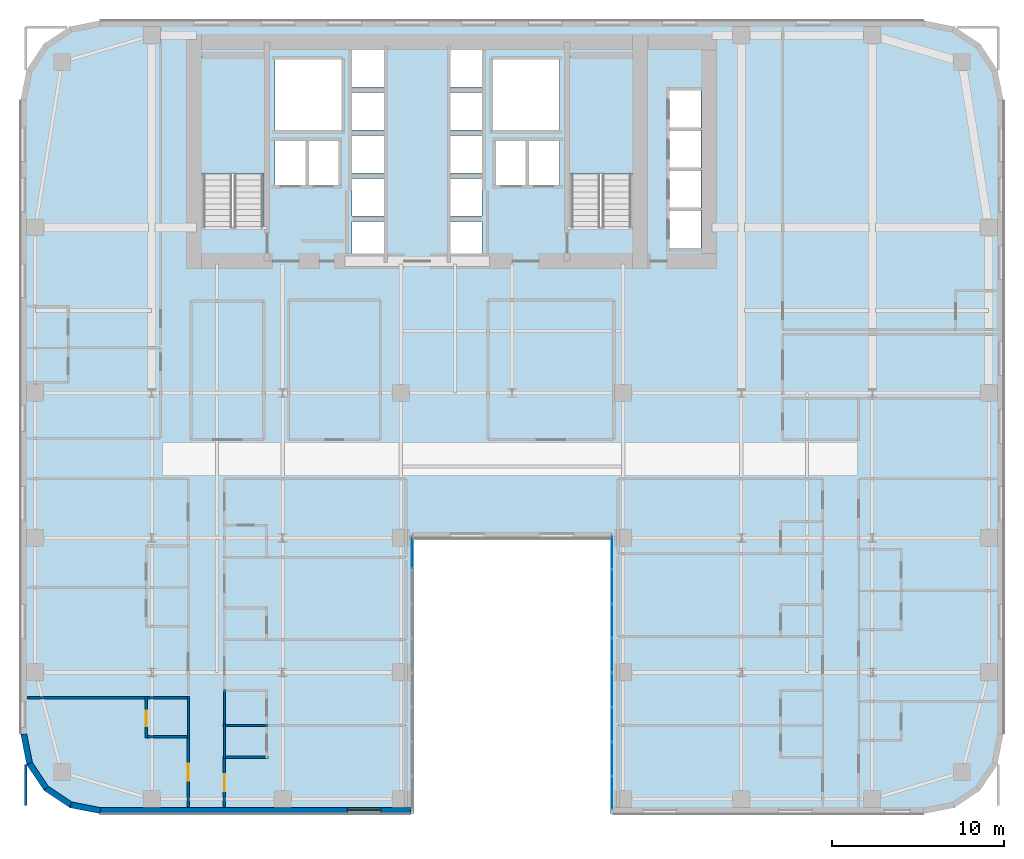
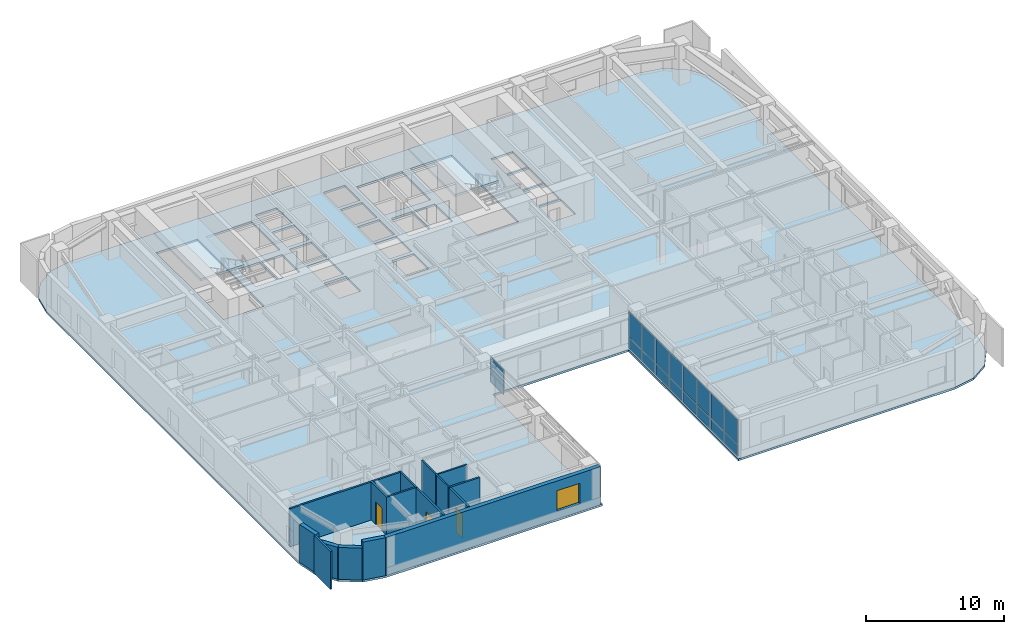
# One storey, part 13 of 25: 17 plates, 17 walls, 3 doors, 3 slabs, 1 window, 4 openings, 4 elements without a shape of their own.
"""IFC4 building model written with IfcOpenShell, lengths in metres."""

import ifcopenshell
import ifcopenshell.guid

model = None  # the IFC model being written
_history = None  # IfcOwnerHistory: only IFC2X3 demands one
_inside = {}  # id of a spatial element -> (the spatial element, [elements in it])
_under = {}  # id of a project, library or spatial element -> (it, [spatial elements below it])
_declared = {}  # id of a project -> (the project, [libraries it declares])
_typed = {}  # id of a type object -> (the type object, [elements of that type])
_made_of = {}  # id of a material, layer set ... -> (it, [elements and type objects made of it])


def new_model(schema):
    """Start an empty IFC model of exactly this schema.

    Asked for "IFC4X3", IfcOpenShell would pick the latest addendum, in which some entities
    have other attributes; the version numbers below select the first issue.
    IFC2X3 requires an IfcOwnerHistory on every rooted entity: one is made here for all.
    """
    global model, _history
    if schema == "IFC4X3":
        model = ifcopenshell.file(schema_version=(4, 3, 0, 0))
    else:
        model = ifcopenshell.file(schema=schema)
    _inside.clear()
    _under.clear()
    _declared.clear()
    _typed.clear()
    _made_of.clear()
    _history = None
    if model.schema == "IFC2X3":
        org = make("IfcOrganization", Name="unknown")
        user = make(
            "IfcPersonAndOrganization",
            ThePerson=make("IfcPerson", FamilyName="unknown"),
            TheOrganization=org,
        )
        app = make(
            "IfcApplication",
            ApplicationDeveloper=org,
            Version="unknown",
            ApplicationFullName="unknown",
            ApplicationIdentifier="unknown",
        )
        _history = make(
            "IfcOwnerHistory",
            OwningUser=user,
            OwningApplication=app,
            ChangeAction="ADDED",
            CreationDate=0,
        )
    return model


def make(cls, **values):
    """One entity of the class cls with the attributes given. An attribute that is None is left unset."""
    return model.create_entity(
        cls, **{name: value for name, value in values.items() if value is not None}
    )


def rooted(cls, **values):
    """An entity with a GlobalId (a new one), such as an element, a storey or a relation."""
    return make(cls, GlobalId=ifcopenshell.guid.new(), OwnerHistory=_history, **values)


def si_unit(unit_type, name, prefix=None):
    """IfcSIUnit, for example si_unit("LENGTHUNIT", "METRE", prefix="MILLI")."""
    return make("IfcSIUnit", UnitType=unit_type, Prefix=prefix, Name=name)


def assignment(units):
    """IfcUnitAssignment: the units of a project."""
    return None if units is None else make("IfcUnitAssignment", Units=units)


def point(xyz):
    """IfcCartesianPoint."""
    return None if xyz is None else make("IfcCartesianPoint", Coordinates=xyz)


def direction(xyz):
    """IfcDirection."""
    return None if xyz is None else make("IfcDirection", DirectionRatios=xyz)


def frame(location, z_axis=None, x_axis=None):
    """IfcAxis2Placement3D, a coordinate frame: its origin and axes. An axis left out is left unset."""
    return make(
        "IfcAxis2Placement3D",
        Location=point(location),
        Axis=direction(z_axis),
        RefDirection=direction(x_axis),
    )


def frame_2d(location, x_axis=None):
    """IfcAxis2Placement2D, a coordinate frame in the plane: its origin and x axis."""
    return make(
        "IfcAxis2Placement2D", Location=point(location), RefDirection=direction(x_axis)
    )


def origin():
    """The frame at (0, 0, 0) with its axes left unset."""
    return frame((0.0, 0.0, 0.0))


def origin_2d():
    """The frame at (0, 0) in the plane with its x axis left unset."""
    return frame_2d((0.0, 0.0))


def place(relative_to, where):
    """IfcLocalPlacement: puts the frame where relative to a parent placement (None: the world)."""
    return make(
        "IfcLocalPlacement", PlacementRelTo=relative_to, RelativePlacement=where
    )


def context(
    kind, dimensions, precision=None, world=None, true_north=None, identifier=None
):
    """IfcGeometricRepresentationContext, for example the 3D "Model" context."""
    return make(
        "IfcGeometricRepresentationContext",
        ContextIdentifier=identifier,
        ContextType=kind,
        CoordinateSpaceDimension=dimensions,
        Precision=precision,
        WorldCoordinateSystem=world,
        TrueNorth=true_north,
    )


def subcontext(parent, identifier, kind, view, scale=None):
    """IfcGeometricRepresentationSubContext, for example "Body" below "Model"."""
    return make(
        "IfcGeometricRepresentationSubContext",
        ContextIdentifier=identifier,
        ContextType=kind,
        ParentContext=parent,
        TargetScale=scale,
        TargetView=view,
    )


def project(units=None, contexts=None):
    """IfcProject with its units and contexts."""
    return rooted(
        "IfcProject",
        Name="project",
        RepresentationContexts=contexts,
        UnitsInContext=assignment(units),
    )


def spatial(cls, under=None, at=None, **own):
    """A site, building, storey or space (cls), placed at a placement, below another one or the project."""
    s = rooted(cls, ObjectPlacement=at, **own)
    if under is not None:
        _under.setdefault(under.id(), (under, []))[1].append(s)
    return s


def polyline(points):
    """IfcPolyline through the points."""
    return make("IfcPolyline", Points=[point(p) for p in points])


def profile(cls, at=None, kind="AREA", **sizes):
    """A parametric profile (cls). Its sizes go by their IFC names, for example OverallWidth=200.0."""
    return make(cls, ProfileType=kind, Position=at, **sizes)


def rectangle(**sizes):
    """IfcRectangleProfileDef."""
    return profile("IfcRectangleProfileDef", **sizes)


def outline(outer, holes=None, kind="AREA"):
    """IfcArbitraryClosedProfileDef: a profile drawn as a closed curve; with holes, ...WithVoids."""
    if holes is None:
        return make("IfcArbitraryClosedProfileDef", ProfileType=kind, OuterCurve=outer)
    return make(
        "IfcArbitraryProfileDefWithVoids",
        ProfileType=kind,
        OuterCurve=outer,
        InnerCurves=holes,
    )


def extrude(swept, where, along, depth):
    """IfcExtrudedAreaSolid: the profile swept, set in the frame where, extruded along a direction by depth."""
    return make(
        "IfcExtrudedAreaSolid",
        SweptArea=swept,
        Position=where,
        ExtrudedDirection=direction(along),
        Depth=depth,
    )


def shape(context_of_items, identifier, shape_type, items):
    """IfcShapeRepresentation: the items that make up one representation, for example the "Body"."""
    return make(
        "IfcShapeRepresentation",
        ContextOfItems=context_of_items,
        RepresentationIdentifier=identifier,
        RepresentationType=shape_type,
        Items=items,
    )


def source(mapping_origin, context_of_items, identifier, shape_type, items):
    """IfcRepresentationMap: a shape defined once, which mapped items show again and again."""
    return make(
        "IfcRepresentationMap",
        MappingOrigin=mapping_origin,
        MappedRepresentation=shape(context_of_items, identifier, shape_type, items),
    )


def transform(
    local_origin,
    x_axis=None,
    y_axis=None,
    z_axis=None,
    scale=None,
    scale2=None,
    scale3=None,
    uniform=True,
):
    """IfcCartesianTransformationOperator3D, or its non-uniform kind. x_axis, y_axis, z_axis: its Axis1, 2, 3."""
    if uniform:
        return make(
            "IfcCartesianTransformationOperator3D",
            Axis1=direction(x_axis),
            Axis2=direction(y_axis),
            LocalOrigin=point(local_origin),
            Scale=scale,
            Axis3=direction(z_axis),
        )
    return make(
        "IfcCartesianTransformationOperator3DnonUniform",
        Axis1=direction(x_axis),
        Axis2=direction(y_axis),
        LocalOrigin=point(local_origin),
        Scale=scale,
        Axis3=direction(z_axis),
        Scale2=scale2,
        Scale3=scale3,
    )


def mapped(mapping_source, mapping_target):
    """IfcMappedItem: shows the shape of a source again, moved by a transform."""
    return make(
        "IfcMappedItem", MappingSource=mapping_source, MappingTarget=mapping_target
    )


def material(Name=None, Category=None):
    """IfcMaterial."""
    return make("IfcMaterial", Name=Name, Category=Category)


def layer(
    of_material, thickness, ventilated=None, Name=None, Category=None, Priority=None
):
    """IfcMaterialLayer: one layer of a wall or slab, of a material (None: an air gap)."""
    return make(
        "IfcMaterialLayer",
        Material=of_material,
        LayerThickness=thickness,
        IsVentilated=ventilated,
        Name=Name,
        Category=Category,
        Priority=Priority,
    )


def layer_set(layers, Name=None):
    """IfcMaterialLayerSet."""
    return make("IfcMaterialLayerSet", MaterialLayers=layers, LayerSetName=Name)


def made_of(thing, what):
    """Note that an element or type object is made of a material, layer set ...; save() writes the relation."""
    if what is not None:
        _made_of.setdefault(what.id(), (what, []))[1].append(thing)
    return thing


def type_object(cls, material=None, **own):
    """A type object (cls), such as IfcWallType, which elements share."""
    return made_of(rooted(cls, **own), material)


def type_shapes(of_type, sources):
    """Give a type object the sources (RepresentationMaps) that its elements show as mapped items."""
    of_type.RepresentationMaps = sources


def element(
    cls,
    number,
    at=None,
    inside=None,
    cuts=None,
    type_object=None,
    material=None,
    context=None,
    identifier="Body",
    shape_type=None,
    held_by="IfcProductDefinitionShape",
    body=None,
    shapes=None,
    **own,
):
    """One element of the class cls, such as IfcWall. Its Tag is "e" and its number.

    at: its placement. inside: the storey or other place that contains it. cuts: it is an
    opening in that element (IfcRelVoidsElement). A single representation is given by context,
    identifier, shape_type and body (its items); several are given by shapes. held_by: the class
    of the entity that holds the representations. save() writes the other relations.
    """
    e = rooted(cls, Tag="e%d" % number, ObjectPlacement=at, **own)
    if body is not None:
        shapes = [shape(context, identifier, shape_type, body)]
    if shapes is not None:
        e.Representation = make(held_by, Representations=shapes)
    if inside is not None:
        _inside.setdefault(inside.id(), (inside, []))[1].append(e)
    if cuts is not None:
        rooted(
            "IfcRelVoidsElement", RelatingBuildingElement=cuts, RelatedOpeningElement=e
        )
    if type_object is not None:
        _typed.setdefault(type_object.id(), (type_object, []))[1].append(e)
    return made_of(e, material)


def fill(opening, filler):
    """IfcRelFillsElement: the door or window that sits in an opening."""
    return rooted(
        "IfcRelFillsElement",
        RelatingOpeningElement=opening,
        RelatedBuildingElement=filler,
    )


def aggregate(whole, parts):
    """IfcRelAggregates: a whole, such as a stair, and the parts it consists of."""
    return rooted("IfcRelAggregates", RelatingObject=whole, RelatedObjects=parts)


def save(model, path):
    """Write the relations noted so far, then the file.

    IfcRelAggregates (storeys below a building ...), IfcRelContainedInSpatialStructure (elements
    in a storey), IfcRelDefinesByType, IfcRelAssociatesMaterial and IfcRelDeclares: one each for
    every whole, place, type object, material and project.
    """
    for whole, parts in _under.values():
        aggregate(whole, parts)
    for where, things in _inside.values():
        rooted(
            "IfcRelContainedInSpatialStructure",
            RelatedElements=things,
            RelatingStructure=where,
        )
    for kind, things in _typed.values():
        rooted("IfcRelDefinesByType", RelatedObjects=things, RelatingType=kind)
    for what, things in _made_of.values():
        rooted("IfcRelAssociatesMaterial", RelatedObjects=things, RelatingMaterial=what)
    for by, libraries in _declared.values():
        rooted("IfcRelDeclares", RelatingContext=by, RelatedDefinitions=libraries)
    model.write(path)


model = new_model("IFC4")

# Units and contexts
model_context = context("Model", 3, precision=1e-05, world=origin(), true_north=direction((0.0, 1.0)))
body_context = subcontext(model_context, "Body", "Model", "MODEL_VIEW")
ifc_project = project(units=[si_unit("LENGTHUNIT", "METRE"), si_unit("AREAUNIT", "SQUARE_METRE"), si_unit("VOLUMEUNIT", "CUBIC_METRE"), si_unit("PLANEANGLEUNIT", "RADIAN"), si_unit("MASSUNIT", "GRAM", prefix="KILO")], contexts=[model_context])

# Site, building, storey
site_placement = place(None, origin())
site = spatial("IfcSite", under=ifc_project, at=site_placement, CompositionType="ELEMENT")
building_placement = place(site_placement, origin())
building = spatial("IfcBuilding", under=site, at=building_placement, Name="Tolvann Quenvar Hotel", CompositionType="ELEMENT")
storey_placement = place(building_placement, frame((0.0, 0.0, 46.199951171875)))
storey = spatial("IfcBuildingStorey", under=building, at=storey_placement, Name="L10", CompositionType="ELEMENT", Elevation=46.199951171875)

# Stair, slab
ifc_material_1 = material(Name="Concrete N40 (40 MPa)", Category="concrete")
stair_type = type_object("IfcStairType", Name="STAIR", PredefinedType="HALF_TURN_STAIR", material=ifc_material_1)
stair_1_placement = place(storey_placement, origin())
stair_1 = element("IfcStair", 1, at=stair_1_placement, inside=storey, type_object=stair_type, Name="L10 ST-C1", PredefinedType="HALF_TURN_STAIR")
ifc_layer_1 = layer(ifc_material_1, 0.199951171875)
ifc_layer_set_1 = layer_set([ifc_layer_1], Name="Concrete N40 (40 MPa)")
slab_type_1 = type_object("IfcSlabType", Name="SLAB_LANDING", PredefinedType="LANDING", material=ifc_layer_set_1)
slab_1_placement = place(storey_placement, frame((0.0, 0.0, 1.574951171875)))
slab_1 = element("IfcSlab", 2, at=slab_1_placement, type_object=slab_type_1, Name="ST-C1 landing 1", PredefinedType="LANDING", context=body_context, shape_type="SweptSolid", body=[
    extrude(outline(polyline([(14.179931640625, 37.10498046875), (14.179931640625, 43.8798828125), (10.469970703125, 43.8798828125), (10.469970703125, 37.10498046875), (14.179931640625, 37.10498046875)])), origin(), (0.0, 0.0, 1.0), 0.2001953125),
])
aggregate(stair_1, [slab_1])

stair_2_placement = place(storey_placement, origin())
stair_2 = element("IfcStair", 3, at=stair_2_placement, inside=storey, type_object=stair_type, Name="L10 ST-C2", PredefinedType="HALF_TURN_STAIR")
slab_2_placement = place(storey_placement, frame((0.0, 0.0, 1.574951171875)))
slab_2 = element("IfcSlab", 4, at=slab_2_placement, type_object=slab_type_1, Name="ST-C2 landing 1", PredefinedType="LANDING", context=body_context, shape_type="SweptSolid", body=[
    extrude(outline(polyline([(35.530029296875, 37.10498046875), (35.530029296875, 43.8798828125), (31.820068359375, 43.8798828125), (31.820068359375, 37.10498046875), (35.530029296875, 37.10498046875)])), origin(), (0.0, 0.0, 1.0), 0.2001953125),
])
aggregate(stair_2, [slab_2])

# Slab
ifc_layer_2 = layer(ifc_material_1, 0.179931640625)
ifc_layer_set_2 = layer_set([ifc_layer_2], Name="Concrete N40 (40 MPa)")
slab_type_2 = type_object("IfcSlabType", Name="SLAB_TWR_180", PredefinedType="FLOOR", material=ifc_layer_set_2)
slab_3_placement = place(storey_placement, frame((0.0, 0.0, -0.179931640625)))
element("IfcSlab", 5, at=slab_3_placement, inside=storey, type_object=slab_type_2, Name="Level L10 Structural Floor Slab", PredefinedType="FLOOR", context=body_context, shape_type="SweptSolid", body=[
    extrude(outline(polyline([(0.0, 4.60009765625), (0.35009765625, 2.839599609375), (1.347412109375, 1.347412109375), (2.839599609375, 0.35009765625), (4.60009765625, 0.0), (22.800048828125, 0.0), (22.800048828125, 16.0), (34.199951171875, 16.0), (34.199951171875, 0.0), (52.39990234375, 0.0), (54.160400390625, 0.35009765625), (55.652587890625, 1.347412109375), (56.64990234375, 2.839599609375), (57.0, 4.60009765625), (57.0, 41.39990234375), (56.64990234375, 43.160400390625), (55.652587890625, 44.652587890625), (54.160400390625, 45.64990234375), (52.39990234375, 46.0), (4.60009765625, 46.0), (2.839599609375, 45.64990234375), (1.347412109375, 44.652587890625), (0.35009765625, 43.160400390625), (0.0, 41.39990234375), (0.0, 4.60009765625)]), holes=[polyline([(37.6298828125, 41.949951171875), (39.469970703125, 41.949951171875), (39.469970703125, 39.77001953125), (37.6298828125, 39.77001953125), (37.6298828125, 41.949951171875)]), polyline([(37.6298828125, 39.6298828125), (39.469970703125, 39.6298828125), (39.469970703125, 37.449951171875), (37.6298828125, 37.449951171875), (37.6298828125, 39.6298828125)]), polyline([(37.6298828125, 37.31005859375), (39.469970703125, 37.31005859375), (39.469970703125, 35.1298828125), (37.6298828125, 35.1298828125), (37.6298828125, 37.31005859375)]), polyline([(37.6298828125, 34.989990234375), (39.469970703125, 34.989990234375), (39.469970703125, 32.81005859375), (37.6298828125, 32.81005859375), (37.6298828125, 34.989990234375)]), polyline([(31.949951171875, 43.800048828125), (35.39990234375, 43.800048828125), (35.39990234375, 34.02490234375), (31.949951171875, 34.02490234375), (31.949951171875, 43.800048828125)]), polyline([(31.25, 39.02001953125), (31.25, 36.47998046875), (29.449951171875, 36.47998046875), (29.449951171875, 39.02001953125), (31.25, 39.02001953125)]), polyline([(31.25, 43.75), (31.25, 39.64990234375), (27.39990234375, 39.64990234375), (27.39990234375, 43.75), (31.25, 43.75)]), polyline([(27.574951171875, 39.02001953125), (29.324951171875, 39.02001953125), (29.324951171875, 36.47998046875), (27.574951171875, 36.47998046875), (27.574951171875, 39.02001953125)]), polyline([(26.77001953125, 36.840087890625), (26.77001953125, 34.659912109375), (24.929931640625, 34.659912109375), (24.929931640625, 36.840087890625), (26.77001953125, 36.840087890625)]), polyline([(26.77001953125, 44.340087890625), (26.77001953125, 42.159912109375), (24.929931640625, 42.159912109375), (24.929931640625, 44.340087890625), (26.77001953125, 44.340087890625)]), polyline([(26.77001953125, 41.840087890625), (26.77001953125, 39.659912109375), (24.929931640625, 39.659912109375), (24.929931640625, 41.840087890625), (26.77001953125, 41.840087890625)]), polyline([(26.77001953125, 39.340087890625), (26.77001953125, 37.159912109375), (24.929931640625, 37.159912109375), (24.929931640625, 39.340087890625), (26.77001953125, 39.340087890625)]), polyline([(24.929931640625, 34.340087890625), (26.77001953125, 34.340087890625), (26.77001953125, 32.159912109375), (24.929931640625, 32.159912109375), (24.929931640625, 34.340087890625)]), polyline([(21.070068359375, 44.340087890625), (21.070068359375, 42.159912109375), (19.22998046875, 42.159912109375), (19.22998046875, 44.340087890625), (21.070068359375, 44.340087890625)]), polyline([(19.22998046875, 41.840087890625), (21.070068359375, 41.840087890625), (21.070068359375, 39.659912109375), (19.22998046875, 39.659912109375), (19.22998046875, 41.840087890625)]), polyline([(21.070068359375, 39.340087890625), (21.070068359375, 37.159912109375), (19.22998046875, 37.159912109375), (19.22998046875, 39.340087890625), (21.070068359375, 39.340087890625)]), polyline([(19.22998046875, 36.840087890625), (21.070068359375, 36.840087890625), (21.070068359375, 34.659912109375), (19.22998046875, 34.659912109375), (19.22998046875, 36.840087890625)]), polyline([(19.22998046875, 34.340087890625), (21.070068359375, 34.340087890625), (21.070068359375, 32.159912109375), (19.22998046875, 32.159912109375), (19.22998046875, 34.340087890625)]), polyline([(18.60009765625, 43.75), (18.60009765625, 39.64990234375), (14.75, 39.64990234375), (14.75, 43.75), (18.60009765625, 43.75)]), polyline([(16.675048828125, 39.02001953125), (18.425048828125, 39.02001953125), (18.425048828125, 36.47998046875), (16.675048828125, 36.47998046875), (16.675048828125, 39.02001953125)]), polyline([(16.550048828125, 39.02001953125), (16.550048828125, 36.47998046875), (14.75, 36.47998046875), (14.75, 39.02001953125), (16.550048828125, 39.02001953125)]), polyline([(10.60009765625, 43.800048828125), (14.050048828125, 43.800048828125), (14.050048828125, 34.02490234375), (10.60009765625, 34.02490234375), (10.60009765625, 43.800048828125)])]), origin(), (0.0, 0.0, 1.0), 0.179931640625),
])

# Curtain wall, plates
ifc_material_2 = material(Name="Thermally broken anodised architectural aluminium 6063-T6 and laminated low-E glass", Category="aluminium")
ifc_layer_3 = layer(ifc_material_2, 0.179931640625)
ifc_layer_set_3 = layer_set([ifc_layer_3], Name="Thermally broken anodised architectural aluminium 6063-T6 and laminated low-E glass")
curtain_wall_type = type_object("IfcCurtainWallType", Name="CW_SYS_SLOT_03", PredefinedType="USERDEFINED", material=ifc_layer_set_3)
curtain_wall_1_placement = place(storey_placement, origin())
curtain_wall_1 = element("IfcCurtainWall", 6, at=curtain_wall_1_placement, inside=storey, type_object=curtain_wall_type, Name="Curtain Wall CW-SLOT-03 (CWR-L10-E07)", ObjectType="UNITISED CURTAIN WALL", PredefinedType="USERDEFINED")
ifc_material_3 = material(Name="Low-iron laminated double glazing with solar-control coating", Category="glass")
ifc_layer_4 = layer(ifc_material_3, 0.028076171875)
ifc_layer_set_4 = layer_set([ifc_layer_4], Name="Low-iron laminated double glazing with solar-control coating")
plate_type = type_object("IfcPlateType", Name="CW_PAN_VISION_28", PredefinedType="CURTAIN_PANEL", material=ifc_layer_set_4)
shared_shape_1 = source(origin(), body_context, "Body", "SweptSolid", [
    extrude(rectangle(XDim=1.89501953125, YDim=0.028076171875, at=origin_2d()), origin(), (0.0, 0.0, 1.0), 0.9599609375),
])
plate_1_placement = place(storey_placement, frame((34.2900390625, 15.157470703125, 0.06005859375), z_axis=(0.0, 0.0, 1.0), x_axis=(0.0, -1.0, 0.0)))
plate_1 = element("IfcPlate", 7, at=plate_1_placement, type_object=plate_type, Name="CW-SLOT-03 panel 1.1", PredefinedType="CURTAIN_PANEL", context=body_context, shape_type="MappedRepresentation", body=[
    mapped(shared_shape_1, transform((0.0, 0.0, 0.0), x_axis=(1.0, 0.0, 0.0), y_axis=(0.0, 1.0, 0.0), z_axis=(0.0, 0.0, 1.0), scale=1.0)),
])
plate_2_placement = place(storey_placement, frame((34.2900390625, 1.1923828125, 0.06005859375), z_axis=(0.0, 0.0, 1.0), x_axis=(0.0, -1.0, 0.0)))
plate_2 = element("IfcPlate", 8, at=plate_2_placement, type_object=plate_type, Name="CW-SLOT-03 panel 8.1", PredefinedType="CURTAIN_PANEL", context=body_context, shape_type="MappedRepresentation", body=[
    mapped(shared_shape_1, transform((0.0, 0.0, 0.0), x_axis=(1.0, 0.0, 0.0), y_axis=(0.0, 1.0, 0.0), z_axis=(0.0, 0.0, 1.0), scale=1.0)),
])

# Curtain wall, plate
curtain_wall_2_placement = place(storey_placement, origin())
curtain_wall_2 = element("IfcCurtainWall", 9, at=curtain_wall_2_placement, inside=storey, type_object=curtain_wall_type, Name="Curtain Wall CW-SLOT-03 (CWR-L10-E05)", ObjectType="UNITISED CURTAIN WALL", PredefinedType="USERDEFINED")
shared_shape_2 = source(origin(), body_context, "Body", "SweptSolid", [
    extrude(rectangle(XDim=1.89501953125, YDim=0.028076171875, at=origin_2d()), origin(), (0.0, 0.0, 1.0), 2.22998046875),
])
plate_3_placement = place(storey_placement, frame((22.7099609375, 15.157470703125, 1.080078125), z_axis=(0.0, 0.0, 1.0), x_axis=(0.0, 1.0, 0.0)))
plate_3 = element("IfcPlate", 10, at=plate_3_placement, type_object=plate_type, Name="CW-SLOT-03 panel 8.2", PredefinedType="CURTAIN_PANEL", context=body_context, shape_type="MappedRepresentation", body=[
    mapped(shared_shape_2, transform((0.0, 0.0, 0.0), x_axis=(1.0, 0.0, 0.0), y_axis=(0.0, 1.0, 0.0), z_axis=(0.0, 0.0, 1.0), scale=1.0)),
])
aggregate(curtain_wall_2, [plate_3])

# Plate
plate_4_placement = place(storey_placement, frame((34.2900390625, 15.157470703125, 1.080078125), z_axis=(0.0, 0.0, 1.0), x_axis=(0.0, -1.0, 0.0)))
plate_4 = element("IfcPlate", 11, at=plate_4_placement, type_object=plate_type, Name="CW-SLOT-03 panel 1.2", PredefinedType="CURTAIN_PANEL", context=body_context, shape_type="MappedRepresentation", body=[
    mapped(shared_shape_2, transform((0.0, 0.0, 0.0), x_axis=(1.0, 0.0, 0.0), y_axis=(0.0, 1.0, 0.0), z_axis=(0.0, 0.0, 1.0), scale=1.0)),
])

plate_5_placement = place(storey_placement, frame((34.2900390625, 1.1923828125, 1.080078125), z_axis=(0.0, 0.0, 1.0), x_axis=(0.0, -1.0, 0.0)))
plate_5 = element("IfcPlate", 12, at=plate_5_placement, type_object=plate_type, Name="CW-SLOT-03 panel 8.2", PredefinedType="CURTAIN_PANEL", context=body_context, shape_type="MappedRepresentation", body=[
    mapped(shared_shape_2, transform((0.0, 0.0, 0.0), x_axis=(1.0, 0.0, 0.0), y_axis=(0.0, 1.0, 0.0), z_axis=(0.0, 0.0, 1.0), scale=1.0)),
])

shared_shape_3 = source(origin(), body_context, "Body", "SweptSolid", [
    extrude(rectangle(XDim=1.929931640625, YDim=0.028076171875, at=origin_2d()), origin(), (0.0, 0.0, 1.0), 0.9599609375),
])
plate_6_placement = place(storey_placement, frame((34.2900390625, 13.175048828125, 0.06005859375), z_axis=(0.0, 0.0, 1.0), x_axis=(0.0, -1.0, 0.0)))
plate_6 = element("IfcPlate", 13, at=plate_6_placement, type_object=plate_type, Name="CW-SLOT-03 panel 2.1", PredefinedType="CURTAIN_PANEL", context=body_context, shape_type="MappedRepresentation", body=[
    mapped(shared_shape_3, transform((0.0, 0.0, 0.0), x_axis=(1.0, 0.0, 0.0), y_axis=(0.0, 1.0, 0.0), z_axis=(0.0, 0.0, 1.0), scale=1.0)),
])

plate_7_placement = place(storey_placement, frame((34.2900390625, 11.175048828125, 0.06005859375), z_axis=(0.0, 0.0, 1.0), x_axis=(0.0, -1.0, 0.0)))
plate_7 = element("IfcPlate", 14, at=plate_7_placement, type_object=plate_type, Name="CW-SLOT-03 panel 3.1", PredefinedType="CURTAIN_PANEL", context=body_context, shape_type="MappedRepresentation", body=[
    mapped(shared_shape_3, transform((0.0, 0.0, 0.0), x_axis=(1.0, 0.0, 0.0), y_axis=(0.0, 1.0, 0.0), z_axis=(0.0, 0.0, 1.0), scale=1.0)),
])

plate_8_placement = place(storey_placement, frame((34.2900390625, 9.175048828125, 0.06005859375), z_axis=(0.0, 0.0, 1.0), x_axis=(0.0, -1.0, 0.0)))
plate_8 = element("IfcPlate", 15, at=plate_8_placement, type_object=plate_type, Name="CW-SLOT-03 panel 4.1", PredefinedType="CURTAIN_PANEL", context=body_context, shape_type="MappedRepresentation", body=[
    mapped(shared_shape_3, transform((0.0, 0.0, 0.0), x_axis=(1.0, 0.0, 0.0), y_axis=(0.0, 1.0, 0.0), z_axis=(0.0, 0.0, 1.0), scale=1.0)),
])

plate_9_placement = place(storey_placement, frame((34.2900390625, 7.175048828125, 0.06005859375), z_axis=(0.0, 0.0, 1.0), x_axis=(0.0, -1.0, 0.0)))
plate_9 = element("IfcPlate", 16, at=plate_9_placement, type_object=plate_type, Name="CW-SLOT-03 panel 5.1", PredefinedType="CURTAIN_PANEL", context=body_context, shape_type="MappedRepresentation", body=[
    mapped(shared_shape_3, transform((0.0, 0.0, 0.0), x_axis=(1.0, 0.0, 0.0), y_axis=(0.0, 1.0, 0.0), z_axis=(0.0, 0.0, 1.0), scale=1.0)),
])

plate_10_placement = place(storey_placement, frame((34.2900390625, 5.175048828125, 0.06005859375), z_axis=(0.0, 0.0, 1.0), x_axis=(0.0, -1.0, 0.0)))
plate_10 = element("IfcPlate", 17, at=plate_10_placement, type_object=plate_type, Name="CW-SLOT-03 panel 6.1", PredefinedType="CURTAIN_PANEL", context=body_context, shape_type="MappedRepresentation", body=[
    mapped(shared_shape_3, transform((0.0, 0.0, 0.0), x_axis=(1.0, 0.0, 0.0), y_axis=(0.0, 1.0, 0.0), z_axis=(0.0, 0.0, 1.0), scale=1.0)),
])

plate_11_placement = place(storey_placement, frame((34.2900390625, 3.175048828125, 0.06005859375), z_axis=(0.0, 0.0, 1.0), x_axis=(0.0, -1.0, 0.0)))
plate_11 = element("IfcPlate", 18, at=plate_11_placement, type_object=plate_type, Name="CW-SLOT-03 panel 7.1", PredefinedType="CURTAIN_PANEL", context=body_context, shape_type="MappedRepresentation", body=[
    mapped(shared_shape_3, transform((0.0, 0.0, 0.0), x_axis=(1.0, 0.0, 0.0), y_axis=(0.0, 1.0, 0.0), z_axis=(0.0, 0.0, 1.0), scale=1.0)),
])

shared_shape_4 = source(origin(), body_context, "Body", "SweptSolid", [
    extrude(rectangle(XDim=1.929931640625, YDim=0.028076171875, at=origin_2d()), origin(), (0.0, 0.0, 1.0), 2.22998046875),
])
type_shapes(plate_type, [shared_shape_1, shared_shape_2, shared_shape_3, shared_shape_4])
plate_12_placement = place(storey_placement, frame((34.2900390625, 13.175048828125, 1.080078125), z_axis=(0.0, 0.0, 1.0), x_axis=(0.0, -1.0, 0.0)))
plate_12 = element("IfcPlate", 19, at=plate_12_placement, type_object=plate_type, Name="CW-SLOT-03 panel 2.2", PredefinedType="CURTAIN_PANEL", context=body_context, shape_type="MappedRepresentation", body=[
    mapped(shared_shape_4, transform((0.0, 0.0, 0.0), x_axis=(1.0, 0.0, 0.0), y_axis=(0.0, 1.0, 0.0), z_axis=(0.0, 0.0, 1.0), scale=1.0)),
])

plate_13_placement = place(storey_placement, frame((34.2900390625, 11.175048828125, 1.080078125), z_axis=(0.0, 0.0, 1.0), x_axis=(0.0, -1.0, 0.0)))
plate_13 = element("IfcPlate", 20, at=plate_13_placement, type_object=plate_type, Name="CW-SLOT-03 panel 3.2", PredefinedType="CURTAIN_PANEL", context=body_context, shape_type="MappedRepresentation", body=[
    mapped(shared_shape_4, transform((0.0, 0.0, 0.0), x_axis=(1.0, 0.0, 0.0), y_axis=(0.0, 1.0, 0.0), z_axis=(0.0, 0.0, 1.0), scale=1.0)),
])

plate_14_placement = place(storey_placement, frame((34.2900390625, 9.175048828125, 1.080078125), z_axis=(0.0, 0.0, 1.0), x_axis=(0.0, -1.0, 0.0)))
plate_14 = element("IfcPlate", 21, at=plate_14_placement, type_object=plate_type, Name="CW-SLOT-03 panel 4.2", PredefinedType="CURTAIN_PANEL", context=body_context, shape_type="MappedRepresentation", body=[
    mapped(shared_shape_4, transform((0.0, 0.0, 0.0), x_axis=(1.0, 0.0, 0.0), y_axis=(0.0, 1.0, 0.0), z_axis=(0.0, 0.0, 1.0), scale=1.0)),
])

plate_15_placement = place(storey_placement, frame((34.2900390625, 7.175048828125, 1.080078125), z_axis=(0.0, 0.0, 1.0), x_axis=(0.0, -1.0, 0.0)))
plate_15 = element("IfcPlate", 22, at=plate_15_placement, type_object=plate_type, Name="CW-SLOT-03 panel 5.2", PredefinedType="CURTAIN_PANEL", context=body_context, shape_type="MappedRepresentation", body=[
    mapped(shared_shape_4, transform((0.0, 0.0, 0.0), x_axis=(1.0, 0.0, 0.0), y_axis=(0.0, 1.0, 0.0), z_axis=(0.0, 0.0, 1.0), scale=1.0)),
])

plate_16_placement = place(storey_placement, frame((34.2900390625, 5.175048828125, 1.080078125), z_axis=(0.0, 0.0, 1.0), x_axis=(0.0, -1.0, 0.0)))
plate_16 = element("IfcPlate", 23, at=plate_16_placement, type_object=plate_type, Name="CW-SLOT-03 panel 6.2", PredefinedType="CURTAIN_PANEL", context=body_context, shape_type="MappedRepresentation", body=[
    mapped(shared_shape_4, transform((0.0, 0.0, 0.0), x_axis=(1.0, 0.0, 0.0), y_axis=(0.0, 1.0, 0.0), z_axis=(0.0, 0.0, 1.0), scale=1.0)),
])

plate_17_placement = place(storey_placement, frame((34.2900390625, 3.175048828125, 1.080078125), z_axis=(0.0, 0.0, 1.0), x_axis=(0.0, -1.0, 0.0)))
plate_17 = element("IfcPlate", 24, at=plate_17_placement, type_object=plate_type, Name="CW-SLOT-03 panel 7.2", PredefinedType="CURTAIN_PANEL", context=body_context, shape_type="MappedRepresentation", body=[
    mapped(shared_shape_4, transform((0.0, 0.0, 0.0), x_axis=(1.0, 0.0, 0.0), y_axis=(0.0, 1.0, 0.0), z_axis=(0.0, 0.0, 1.0), scale=1.0)),
])

aggregate(curtain_wall_1, [plate_1, plate_4, plate_6, plate_12, plate_7, plate_13, plate_8, plate_14, plate_9, plate_15, plate_10, plate_16, plate_11, plate_17, plate_2, plate_5])

# Walls
ifc_material_4 = material(Name="Kiln-fired red and buff architectural clay brickwork and terracotta masonry", Category="masonry")
ifc_layer_5 = layer(ifc_material_4, 0.35009765625)
ifc_layer_set_5 = layer_set([ifc_layer_5], Name="Kiln-fired red and buff architectural clay brickwork and terracotta masonry")
wall_type_1 = type_object("IfcWallType", Name="WALL_EXT_BRICK_350", PredefinedType="SOLIDWALL", material=ifc_layer_set_5)
for number, where, z_axis, x_axis, name in (
    (25, (0.514892578125, 2.907958984375, 0.0), (0.0, 0.0, 1.0), (0.55554893791, -0.831483840845, 0.0), "Exterior Chicago Brick Wall L10-E01"),
    (26, (1.473388671875, 1.473388671875, 0.0), (0.0, 0.0, 1.0), (0.831483840845, -0.55554893791, 0.0), "Exterior Chicago Brick Wall L10-E02"),
):
    element("IfcWall", number, at=place(storey_placement, frame(where, z_axis=z_axis, x_axis=x_axis)), inside=storey, type_object=wall_type_1, Name=name, PredefinedType="SOLIDWALL", context=body_context, shape_type="SweptSolid", body=[
        extrude(rectangle(XDim=1.725341796875, YDim=0.35009765625, at=frame_2d((0.86279296875, 0.0))), origin(), (0.0, 0.0, 1.0), 2.83203125),
    ])
wall_1_placement = place(storey_placement, frame((2.907958984375, 0.514892578125, 0.0), z_axis=(0.0, 0.0, 1.0), x_axis=(0.980800971659, -0.195011420161, 0.0)))
element("IfcWall", 27, at=wall_1_placement, inside=storey, type_object=wall_type_1, Name="Exterior Chicago Brick Wall L10-E03", PredefinedType="SOLIDWALL", context=body_context, shape_type="SweptSolid", body=[
    extrude(rectangle(XDim=1.74267578125, YDim=0.35009765625, at=frame_2d((0.871337890625, 0.0))), origin(), (0.0, 0.0, 1.0), 3.3701171875),
])

# Wall, opening, window
wall_2_placement = place(storey_placement, frame((4.6171875, 0.175048828125, 0.0), z_axis=(0.0, 0.0, 1.0), x_axis=(1.0, 0.0, 0.0)))
wall_2 = element("IfcWall", 28, at=wall_2_placement, inside=storey, type_object=wall_type_1, Name="Exterior Chicago Brick Wall L10-E04", PredefinedType="SOLIDWALL", context=body_context, shape_type="SweptSolid", body=[
    extrude(rectangle(XDim=18.0078125, YDim=0.35009765625, at=frame_2d((9.00390625, 0.0))), origin(), (0.0, 0.0, 1.0), 3.3701171875),
])
opening_1_placement = place(wall_2_placement, frame((14.33203125, 0.0, 0.679931640625)))
opening_1 = element("IfcOpeningElement", 29, at=opening_1_placement, cuts=wall_2, Name="Opening W-10", PredefinedType="OPENING", context=body_context, shape_type="SweptSolid", body=[
    extrude(rectangle(XDim=1.949951171875, YDim=1.820068359375, at=frame_2d((0.97509765625, 0.91015625))), frame((0.0, 0.18505859375, 0.0), z_axis=(0.0, -1.0, 0.0), x_axis=(1.0, 0.0, 0.0)), (0.0, 0.0, 1.0), 0.3701171875),
])
ifc_material_5 = material(Name="Thermally broken bronze-anodised aluminium frame with double low-E glazing", Category="aluminium")
window_type = type_object("IfcWindowType", Name="WIN_CLB_1950x1850", PartitioningType="DOUBLE_PANEL_VERTICAL", PredefinedType="WINDOW", material=ifc_material_5)
shared_shape_5 = source(origin(), body_context, "Body", "SweptSolid", [
    extrude(rectangle(XDim=1.949951171875, YDim=1.820068359375, at=frame_2d((0.97509765625, 0.91015625))), frame((0.0, 0.090087890625, 0.0), z_axis=(0.0, -1.0, 0.0), x_axis=(1.0, 0.0, 0.0)), (0.0, 0.0, 1.0), 0.06005859375),
])
type_shapes(window_type, [shared_shape_5])
window_placement = place(opening_1_placement, origin())
window = element("IfcWindow", 30, at=window_placement, inside=storey, type_object=window_type, Name="Chicago Window W-10 (EW-L10-E04-W01)", OverallHeight=1.820068359375, OverallWidth=1.949951171875, PartitioningType="DOUBLE_PANEL_VERTICAL", PredefinedType="WINDOW", context=body_context, shape_type="MappedRepresentation", body=[
    mapped(shared_shape_5, transform((0.0, 0.0, 0.0), x_axis=(1.0, 0.0, 0.0), y_axis=(0.0, 1.0, 0.0), z_axis=(0.0, 0.0, 1.0), scale=1.0)),
])
fill(opening_1, window)

# Walls
wall_3_placement = place(storey_placement, frame((0.175048828125, 4.6171875, 0.0), z_axis=(0.0, 0.0, 1.0), x_axis=(0.195011420161, -0.980800971659, 0.0)))
element("IfcWall", 31, at=wall_3_placement, inside=storey, type_object=wall_type_1, Name="Exterior Chicago Brick Wall L10-E24", PredefinedType="SOLIDWALL", context=body_context, shape_type="SweptSolid", body=[
    extrude(rectangle(XDim=1.74267578125, YDim=0.35009765625, at=frame_2d((0.871337890625, 0.0))), origin(), (0.0, 0.0, 1.0), 3.3701171875),
])
ifc_material_6 = material(Name="Moisture-resistant acoustic plumbing wall assembly")
ifc_layer_6 = layer(ifc_material_6, 0.1201171875)
ifc_layer_set_6 = layer_set([ifc_layer_6], Name="Moisture-resistant acoustic plumbing wall assembly")
wall_type_2 = type_object("IfcWallType", Name="WALL_PART_BATH_120", PredefinedType="PLUMBINGWALL", material=ifc_layer_set_6)
wall_4_placement = place(storey_placement, frame((9.72998046875, 4.39990234375, 0.0), z_axis=(0.0, 0.0, 1.0), x_axis=(0.0, 1.0, 0.0)))
element("IfcWall", 32, at=wall_4_placement, inside=storey, type_object=wall_type_2, Name="Non-Rated Plumbing Partition PT-SPC-L10-ENS-WO01-E", PredefinedType="PLUMBINGWALL", context=body_context, shape_type="SweptSolid", body=[
    extrude(rectangle(XDim=2.39013671875, YDim=0.1201171875, at=frame_2d((1.195068359375, 0.0))), origin(), (0.0, 0.0, 1.0), 3.3701171875),
])
wall_5_placement = place(storey_placement, frame((11.75, 5.1201171875, 0.0), z_axis=(0.0, 0.0, 1.0), x_axis=(1.0, 0.0, 0.0)))
element("IfcWall", 33, at=wall_5_placement, inside=storey, type_object=wall_type_2, Name="Non-Rated Plumbing Partition PT-SPC-L10-ENS-WI01-N", PredefinedType="PLUMBINGWALL", context=body_context, shape_type="SweptSolid", body=[
    extrude(rectangle(XDim=2.590087890625, YDim=0.1201171875, at=frame_2d((1.294921875, 0.0))), origin(), (0.0, 0.0, 1.0), 3.3701171875),
])
for number, where, z_axis, x_axis, name in (
    (34, (11.820068359375, 3.199951171875, 0.0), (0.0, 0.0, 1.0), (0.0, 1.0, 0.0), "Non-Rated Plumbing Partition PT-SPC-L10-ENS-WI01-W"),
    (35, (11.820068359375, 5.2099609375, 0.0), (0.0, 0.0, 1.0), (0.0, 1.0, 0.0), "Non-Rated Plumbing Partition PT-SPC-L10-ENS-WI02-W"),
):
    element("IfcWall", number, at=place(storey_placement, frame(where, z_axis=z_axis, x_axis=x_axis)), inside=storey, type_object=wall_type_2, Name=name, PredefinedType="PLUMBINGWALL", context=body_context, shape_type="SweptSolid", body=[
        extrude(rectangle(XDim=1.989990234375, YDim=0.1201171875, at=frame_2d((0.9951171875, 0.0))), origin(), (0.0, 0.0, 1.0), 3.3701171875),
    ])

# Wall, opening, door
ifc_material_7 = material(Name="Acoustic twin-stud fire-rated gypsum plasterboard partition")
ifc_layer_7 = layer(ifc_material_7, 0.14990234375)
ifc_layer_set_7 = layer_set([ifc_layer_7], Name="Acoustic twin-stud fire-rated gypsum plasterboard partition")
wall_type_3 = type_object("IfcWallType", Name="WALL_PART_SUITE_150", PredefinedType="PARTITIONING", material=ifc_layer_set_7)
wall_6_placement = place(storey_placement, frame((7.280029296875, 4.39990234375, 0.0), z_axis=(0.0, 0.0, 1.0), x_axis=(0.0, 1.0, 0.0)))
wall_6 = element("IfcWall", 36, at=wall_6_placement, inside=storey, type_object=wall_type_3, Name="Interior Partition PT-SPC-L10-ENS-WO01-ENT", PredefinedType="PARTITIONING", context=body_context, shape_type="SweptSolid", body=[
    extrude(rectangle(XDim=2.39013671875, YDim=0.14990234375, at=frame_2d((1.195068359375, 0.0))), origin(), (0.0, 0.0, 1.0), 3.3701171875),
])
opening_2_placement = place(wall_6_placement, frame((0.6650390625, 0.0, 0.0)))
opening_2 = element("IfcOpeningElement", 37, at=opening_2_placement, cuts=wall_6, Name="Opening WD-01", PredefinedType="OPENING", context=body_context, shape_type="SweptSolid", body=[
    extrude(rectangle(XDim=0.919921875, YDim=2.010009765625, at=frame_2d((0.4599609375, 1.0048828125))), frame((0.0, 0.0849609375, 0.0), z_axis=(0.0, -1.0, 0.0), x_axis=(1.0, 0.0, 0.0)), (0.0, 0.0, 1.0), 0.169921875),
])
ifc_material_8 = material(Name="Solid-core American oak acoustic fire door leaf in steel frame", Category="steel")
door_type_1 = type_object("IfcDoorType", Name="DOOR_WC_920", OperationType="NOTDEFINED", PredefinedType="DOOR", material=ifc_material_8)
shared_shape_6 = source(origin(), body_context, "Body", "SweptSolid", [
    extrude(rectangle(XDim=0.919921875, YDim=2.010009765625, at=frame_2d((0.4599609375, 1.0048828125))), frame((0.0, 0.02490234375, 0.0), z_axis=(0.0, -1.0, 0.0), x_axis=(1.0, 0.0, 0.0)), (0.0, 0.0, 1.0), 0.050048828125),
])
type_shapes(door_type_1, [shared_shape_6])
door_1_placement = place(opening_2_placement, origin())
door_1 = element("IfcDoor", 38, at=door_1_placement, inside=storey, type_object=door_type_1, Name="Interior Door DOOR-SPC-L10-ENS-WO01", OperationType="SINGLE_SWING_RIGHT", OverallHeight=2.010009765625, OverallWidth=0.919921875, PredefinedType="DOOR", context=body_context, shape_type="MappedRepresentation", body=[
    mapped(shared_shape_6, transform((0.0, 0.0, 0.0), x_axis=(1.0, 0.0, 0.0), y_axis=(0.0, 1.0, 0.0), z_axis=(0.0, 0.0, 1.0), scale=1.0)),
])
fill(opening_2, door_1)

# Walls
for number, where, z_axis, x_axis, name in (
    (39, (7.2099609375, 4.469970703125, 0.0), (0.0, 0.0, 1.0), (1.0, 0.0, 0.0), "Interior Partition PT-SPC-L10-ENS-WO01-S"),
    (40, (7.2099609375, 6.719970703125, 0.0), (0.0, 0.0, 1.0), (1.0, 0.0, 0.0), "Interior Partition PT-SPC-L10-ENS-WO01-N"),
    (41, (11.75, 3.27001953125, 0.0), (0.0, 0.0, 1.0), (1.0, 0.0, 0.0), "Interior Partition PT-SPC-L10-ENS-WI01-S"),
):
    element("IfcWall", number, at=place(storey_placement, frame(where, z_axis=z_axis, x_axis=x_axis)), inside=storey, type_object=wall_type_3, Name=name, PredefinedType="PARTITIONING", context=body_context, shape_type="SweptSolid", body=[
        extrude(rectangle(XDim=2.590087890625, YDim=0.14990234375, at=frame_2d((1.294921875, 0.0))), origin(), (0.0, 0.0, 1.0), 3.3701171875),
    ])

# Wall, opening, door
wall_7_placement = place(storey_placement, frame((9.72998046875, 0.405029296875, 0.0), z_axis=(0.0, 0.0, 1.0), x_axis=(0.0, 1.0, 0.0)))
wall_7 = element("IfcWall", 42, at=wall_7_placement, inside=storey, type_object=wall_type_3, Name="Interior Partition PT-SPC-L10-RM-WO01-ENT", PredefinedType="PARTITIONING", context=body_context, shape_type="SweptSolid", body=[
    extrude(rectangle(XDim=3.98486328125, YDim=0.14990234375, at=frame_2d((1.992431640625, 0.0))), origin(), (0.0, 0.0, 1.0), 3.3701171875),
])
opening_3_placement = place(wall_7_placement, frame((1.510009765625, 0.0, 0.0)))
opening_3 = element("IfcOpeningElement", 43, at=opening_3_placement, cuts=wall_7, Name="Opening SD-01", PredefinedType="OPENING", context=body_context, shape_type="SweptSolid", body=[
    extrude(rectangle(XDim=0.97998046875, YDim=2.1201171875, at=frame_2d((0.489990234375, 1.06005859375))), frame((0.0, 0.0849609375, 0.0), z_axis=(0.0, -1.0, 0.0), x_axis=(1.0, 0.0, 0.0)), (0.0, 0.0, 1.0), 0.169921875),
])
door_type_2 = type_object("IfcDoorType", Name="DOOR_SUITE_980", OperationType="NOTDEFINED", PredefinedType="DOOR", material=ifc_material_8)
shared_shape_7 = source(origin(), body_context, "Body", "SweptSolid", [
    extrude(rectangle(XDim=0.97998046875, YDim=2.1201171875, at=frame_2d((0.489990234375, 1.06005859375))), frame((0.0, 0.02490234375, 0.0), z_axis=(0.0, -1.0, 0.0), x_axis=(1.0, 0.0, 0.0)), (0.0, 0.0, 1.0), 0.050048828125),
])
type_shapes(door_type_2, [shared_shape_7])
door_2_placement = place(opening_3_placement, origin())
door_2 = element("IfcDoor", 44, at=door_2_placement, inside=storey, type_object=door_type_2, Name="Interior Door DOOR-SPC-L10-RM-WO01", OperationType="SINGLE_SWING_LEFT", OverallHeight=2.1201171875, OverallWidth=0.97998046875, PredefinedType="DOOR", context=body_context, shape_type="MappedRepresentation", body=[
    mapped(shared_shape_7, transform((0.0, 0.0, 0.0), x_axis=(1.0, 0.0, 0.0), y_axis=(0.0, 1.0, 0.0), z_axis=(0.0, 0.0, 1.0), scale=1.0)),
])
fill(opening_3, door_2)

# Walls
wall_8_placement = place(storey_placement, frame((0.405029296875, 6.719970703125, 0.0), z_axis=(0.0, 0.0, 1.0), x_axis=(1.0, 0.0, 0.0)))
element("IfcWall", 45, at=wall_8_placement, inside=storey, type_object=wall_type_3, Name="Interior Partition PT-SPC-L10-RM-WO01-E5", PredefinedType="PARTITIONING", context=body_context, shape_type="SweptSolid", body=[
    extrude(rectangle(XDim=6.85498046875, YDim=0.14990234375, at=frame_2d((3.427490234375, 0.0))), origin(), (0.0, 0.0, 1.0), 3.3701171875),
])
wall_9_placement = place(storey_placement, frame((0.300048828125, 0.47998046875, 0.0), z_axis=(0.0, 0.0, 1.0), x_axis=(0.0, 1.0, 0.0)))
element("IfcWall", 46, at=wall_9_placement, inside=storey, type_object=wall_type_3, Name="Interior Partition PT-SPC-L10-RM-WO01-E6", PredefinedType="PARTITIONING", context=body_context, shape_type="SweptSolid", body=[
    extrude(rectangle(XDim=2.385009765625, YDim=0.14990234375, at=frame_2d((1.1923828125, 0.0))), origin(), (0.0, 0.0, 1.0), 3.3701171875),
])

# Wall, opening, door
wall_10_placement = place(storey_placement, frame((11.820068359375, 0.405029296875, 0.0), z_axis=(0.0, 0.0, 1.0), x_axis=(0.0, 1.0, 0.0)))
wall_10 = element("IfcWall", 47, at=wall_10_placement, inside=storey, type_object=wall_type_3, Name="Interior Partition PT-SPC-L10-RM-WI01-ENT", PredefinedType="PARTITIONING", context=body_context, shape_type="SweptSolid", body=[
    extrude(rectangle(XDim=2.784912109375, YDim=0.14990234375, at=frame_2d((1.392578125, 0.0))), origin(), (0.0, 0.0, 1.0), 3.3701171875),
])
opening_4_placement = place(wall_10_placement, frame((0.909912109375, 0.0, 0.0)))
opening_4 = element("IfcOpeningElement", 48, at=opening_4_placement, cuts=wall_10, Name="Opening SD-01", PredefinedType="OPENING", context=body_context, shape_type="SweptSolid", body=[
    extrude(rectangle(XDim=0.97998046875, YDim=2.1201171875, at=frame_2d((0.489990234375, 1.06005859375))), frame((0.0, 0.0849609375, 0.0), z_axis=(0.0, -1.0, 0.0), x_axis=(1.0, 0.0, 0.0)), (0.0, 0.0, 1.0), 0.169921875),
])
door_3_placement = place(opening_4_placement, origin())
door_3 = element("IfcDoor", 49, at=door_3_placement, inside=storey, type_object=door_type_2, Name="Interior Door DOOR-SPC-L10-RM-WI01", OperationType="SINGLE_SWING_RIGHT", OverallHeight=2.1201171875, OverallWidth=0.97998046875, PredefinedType="DOOR", context=body_context, shape_type="MappedRepresentation", body=[
    mapped(shared_shape_7, transform((0.0, 0.0, 0.0), x_axis=(1.0, 0.0, 0.0), y_axis=(0.0, 1.0, 0.0), z_axis=(0.0, 0.0, 1.0), scale=1.0)),
])
fill(opening_4, door_3)

save(model, "model.ifc")
